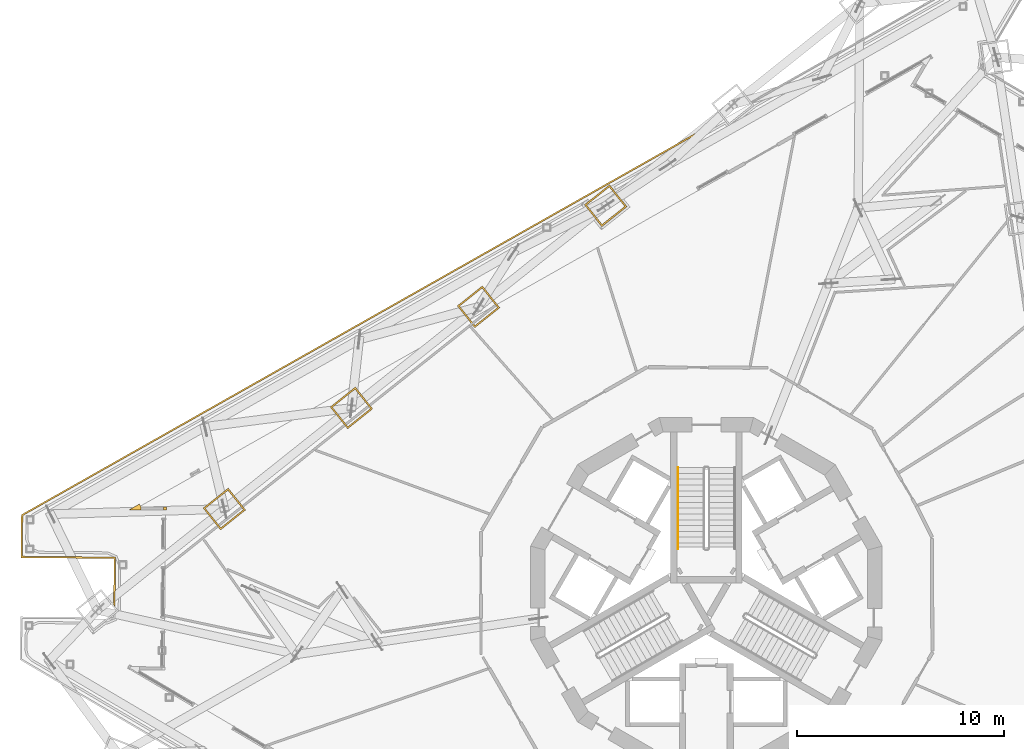
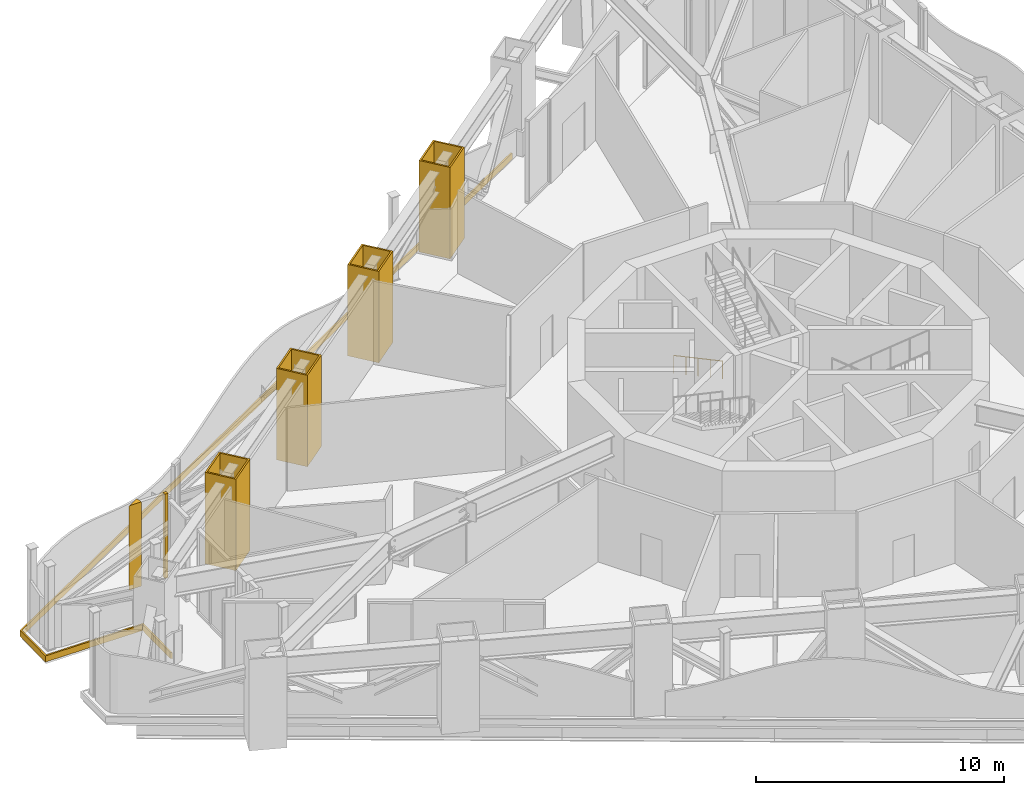
# One storey, part 23 of 27: 7 coverings, 1 railing.
"""IFC4 building model written with IfcOpenShell, lengths in metres."""

import ifcopenshell
import ifcopenshell.guid

model = None  # the IFC model being written
_history = None  # IfcOwnerHistory: only IFC2X3 demands one
_inside = {}  # id of a spatial element -> (the spatial element, [elements in it])
_under = {}  # id of a project, library or spatial element -> (it, [spatial elements below it])
_declared = {}  # id of a project -> (the project, [libraries it declares])
_typed = {}  # id of a type object -> (the type object, [elements of that type])
_made_of = {}  # id of a material, layer set ... -> (it, [elements and type objects made of it])


def new_model(schema):
    """Start an empty IFC model of exactly this schema.

    Asked for "IFC4X3", IfcOpenShell would pick the latest addendum, in which some entities
    have other attributes; the version numbers below select the first issue.
    IFC2X3 requires an IfcOwnerHistory on every rooted entity: one is made here for all.
    """
    global model, _history
    if schema == "IFC4X3":
        model = ifcopenshell.file(schema_version=(4, 3, 0, 0))
    else:
        model = ifcopenshell.file(schema=schema)
    _inside.clear()
    _under.clear()
    _declared.clear()
    _typed.clear()
    _made_of.clear()
    _history = None
    if model.schema == "IFC2X3":
        org = make("IfcOrganization", Name="unknown")
        user = make(
            "IfcPersonAndOrganization",
            ThePerson=make("IfcPerson", FamilyName="unknown"),
            TheOrganization=org,
        )
        app = make(
            "IfcApplication",
            ApplicationDeveloper=org,
            Version="unknown",
            ApplicationFullName="unknown",
            ApplicationIdentifier="unknown",
        )
        _history = make(
            "IfcOwnerHistory",
            OwningUser=user,
            OwningApplication=app,
            ChangeAction="ADDED",
            CreationDate=0,
        )
    return model


def make(cls, **values):
    """One entity of the class cls with the attributes given. An attribute that is None is left unset."""
    return model.create_entity(
        cls, **{name: value for name, value in values.items() if value is not None}
    )


def rooted(cls, **values):
    """An entity with a GlobalId (a new one), such as an element, a storey or a relation."""
    return make(cls, GlobalId=ifcopenshell.guid.new(), OwnerHistory=_history, **values)


def si_unit(unit_type, name, prefix=None):
    """IfcSIUnit, for example si_unit("LENGTHUNIT", "METRE", prefix="MILLI")."""
    return make("IfcSIUnit", UnitType=unit_type, Prefix=prefix, Name=name)


def assignment(units):
    """IfcUnitAssignment: the units of a project."""
    return None if units is None else make("IfcUnitAssignment", Units=units)


def point(xyz):
    """IfcCartesianPoint."""
    return None if xyz is None else make("IfcCartesianPoint", Coordinates=xyz)


def direction(xyz):
    """IfcDirection."""
    return None if xyz is None else make("IfcDirection", DirectionRatios=xyz)


def frame(location, z_axis=None, x_axis=None):
    """IfcAxis2Placement3D, a coordinate frame: its origin and axes. An axis left out is left unset."""
    return make(
        "IfcAxis2Placement3D",
        Location=point(location),
        Axis=direction(z_axis),
        RefDirection=direction(x_axis),
    )


def frame_2d(location, x_axis=None):
    """IfcAxis2Placement2D, a coordinate frame in the plane: its origin and x axis."""
    return make(
        "IfcAxis2Placement2D", Location=point(location), RefDirection=direction(x_axis)
    )


def origin():
    """The frame at (0, 0, 0) with its axes left unset."""
    return frame((0.0, 0.0, 0.0))


def origin_2d():
    """The frame at (0, 0) in the plane with its x axis left unset."""
    return frame_2d((0.0, 0.0))


def place(relative_to, where):
    """IfcLocalPlacement: puts the frame where relative to a parent placement (None: the world)."""
    return make(
        "IfcLocalPlacement", PlacementRelTo=relative_to, RelativePlacement=where
    )


def context(
    kind, dimensions, precision=None, world=None, true_north=None, identifier=None
):
    """IfcGeometricRepresentationContext, for example the 3D "Model" context."""
    return make(
        "IfcGeometricRepresentationContext",
        ContextIdentifier=identifier,
        ContextType=kind,
        CoordinateSpaceDimension=dimensions,
        Precision=precision,
        WorldCoordinateSystem=world,
        TrueNorth=true_north,
    )


def subcontext(parent, identifier, kind, view, scale=None):
    """IfcGeometricRepresentationSubContext, for example "Body" below "Model"."""
    return make(
        "IfcGeometricRepresentationSubContext",
        ContextIdentifier=identifier,
        ContextType=kind,
        ParentContext=parent,
        TargetScale=scale,
        TargetView=view,
    )


def project(units=None, contexts=None):
    """IfcProject with its units and contexts."""
    return rooted(
        "IfcProject",
        Name="project",
        RepresentationContexts=contexts,
        UnitsInContext=assignment(units),
    )


def spatial(cls, under=None, at=None, **own):
    """A site, building, storey or space (cls), placed at a placement, below another one or the project."""
    s = rooted(cls, ObjectPlacement=at, **own)
    if under is not None:
        _under.setdefault(under.id(), (under, []))[1].append(s)
    return s


def polyline(points):
    """IfcPolyline through the points."""
    return make("IfcPolyline", Points=[point(p) for p in points])


def profile(cls, at=None, kind="AREA", **sizes):
    """A parametric profile (cls). Its sizes go by their IFC names, for example OverallWidth=200.0."""
    return make(cls, ProfileType=kind, Position=at, **sizes)


def circle(**sizes):
    """IfcCircleProfileDef."""
    return profile("IfcCircleProfileDef", **sizes)


def outline(outer, holes=None, kind="AREA"):
    """IfcArbitraryClosedProfileDef: a profile drawn as a closed curve; with holes, ...WithVoids."""
    if holes is None:
        return make("IfcArbitraryClosedProfileDef", ProfileType=kind, OuterCurve=outer)
    return make(
        "IfcArbitraryProfileDefWithVoids",
        ProfileType=kind,
        OuterCurve=outer,
        InnerCurves=holes,
    )


def extrude(swept, where, along, depth):
    """IfcExtrudedAreaSolid: the profile swept, set in the frame where, extruded along a direction by depth."""
    return make(
        "IfcExtrudedAreaSolid",
        SweptArea=swept,
        Position=where,
        ExtrudedDirection=direction(along),
        Depth=depth,
    )


def shape(context_of_items, identifier, shape_type, items):
    """IfcShapeRepresentation: the items that make up one representation, for example the "Body"."""
    return make(
        "IfcShapeRepresentation",
        ContextOfItems=context_of_items,
        RepresentationIdentifier=identifier,
        RepresentationType=shape_type,
        Items=items,
    )


def material(Name=None, Category=None):
    """IfcMaterial."""
    return make("IfcMaterial", Name=Name, Category=Category)


def layer(
    of_material, thickness, ventilated=None, Name=None, Category=None, Priority=None
):
    """IfcMaterialLayer: one layer of a wall or slab, of a material (None: an air gap)."""
    return make(
        "IfcMaterialLayer",
        Material=of_material,
        LayerThickness=thickness,
        IsVentilated=ventilated,
        Name=Name,
        Category=Category,
        Priority=Priority,
    )


def layer_set(layers, Name=None):
    """IfcMaterialLayerSet."""
    return make("IfcMaterialLayerSet", MaterialLayers=layers, LayerSetName=Name)


def made_of(thing, what):
    """Note that an element or type object is made of a material, layer set ...; save() writes the relation."""
    if what is not None:
        _made_of.setdefault(what.id(), (what, []))[1].append(thing)
    return thing


def type_object(cls, material=None, **own):
    """A type object (cls), such as IfcWallType, which elements share."""
    return made_of(rooted(cls, **own), material)


def element(
    cls,
    number,
    at=None,
    inside=None,
    cuts=None,
    type_object=None,
    material=None,
    context=None,
    identifier="Body",
    shape_type=None,
    held_by="IfcProductDefinitionShape",
    body=None,
    shapes=None,
    **own,
):
    """One element of the class cls, such as IfcWall. Its Tag is "e" and its number.

    at: its placement. inside: the storey or other place that contains it. cuts: it is an
    opening in that element (IfcRelVoidsElement). A single representation is given by context,
    identifier, shape_type and body (its items); several are given by shapes. held_by: the class
    of the entity that holds the representations. save() writes the other relations.
    """
    e = rooted(cls, Tag="e%d" % number, ObjectPlacement=at, **own)
    if body is not None:
        shapes = [shape(context, identifier, shape_type, body)]
    if shapes is not None:
        e.Representation = make(held_by, Representations=shapes)
    if inside is not None:
        _inside.setdefault(inside.id(), (inside, []))[1].append(e)
    if cuts is not None:
        rooted(
            "IfcRelVoidsElement", RelatingBuildingElement=cuts, RelatedOpeningElement=e
        )
    if type_object is not None:
        _typed.setdefault(type_object.id(), (type_object, []))[1].append(e)
    return made_of(e, material)


def aggregate(whole, parts):
    """IfcRelAggregates: a whole, such as a stair, and the parts it consists of."""
    return rooted("IfcRelAggregates", RelatingObject=whole, RelatedObjects=parts)


def save(model, path):
    """Write the relations noted so far, then the file.

    IfcRelAggregates (storeys below a building ...), IfcRelContainedInSpatialStructure (elements
    in a storey), IfcRelDefinesByType, IfcRelAssociatesMaterial and IfcRelDeclares: one each for
    every whole, place, type object, material and project.
    """
    for whole, parts in _under.values():
        aggregate(whole, parts)
    for where, things in _inside.values():
        rooted(
            "IfcRelContainedInSpatialStructure",
            RelatedElements=things,
            RelatingStructure=where,
        )
    for kind, things in _typed.values():
        rooted("IfcRelDefinesByType", RelatedObjects=things, RelatingType=kind)
    for what, things in _made_of.values():
        rooted("IfcRelAssociatesMaterial", RelatedObjects=things, RelatingMaterial=what)
    for by, libraries in _declared.values():
        rooted("IfcRelDeclares", RelatingContext=by, RelatedDefinitions=libraries)
    model.write(path)


model = new_model("IFC4")

# Units and contexts
model_context = context("Model", 3, precision=1e-05, world=origin(), true_north=direction((0.0, 1.0)))
body_context = subcontext(model_context, "Body", "Model", "MODEL_VIEW")
ifc_project = project(units=[si_unit("LENGTHUNIT", "METRE"), si_unit("AREAUNIT", "SQUARE_METRE"), si_unit("VOLUMEUNIT", "CUBIC_METRE"), si_unit("PLANEANGLEUNIT", "RADIAN"), si_unit("MASSUNIT", "GRAM", prefix="KILO")], contexts=[model_context])

# Site, building, storey
site_placement = place(None, origin())
site = spatial("IfcSite", under=ifc_project, at=site_placement, CompositionType="ELEMENT")
building_placement = place(site_placement, origin())
building = spatial("IfcBuilding", under=site, at=building_placement, Name="Trine Commons Tower", CompositionType="ELEMENT")
storey_placement = place(building_placement, frame((0.0, 0.0, 193.5)))
storey = spatial("IfcBuildingStorey", under=building, at=storey_placement, Name="L50", CompositionType="ELEMENT", Elevation=193.5)

# Coverings
ifc_material_1 = material(Name="Aluminium-framed insulated wall panel", Category="aluminium")
ifc_layer_1 = layer(ifc_material_1, 0.14990234375)
ifc_layer_set_1 = layer_set([ifc_layer_1], Name="Aluminium-framed insulated wall panel")
covering_type_1 = type_object("IfcCoveringType", Name="Glazing corner post, aluminium", PredefinedType="CLADDING", material=ifc_layer_set_1)
covering_1_placement = place(storey_placement, origin())
element("IfcCovering", 1, at=covering_1_placement, inside=storey, type_object=covering_type_1, Name="Glazing corner post 5-03", PredefinedType="CLADDING", context=body_context, shape_type="SweptSolid", body=[
    extrude(outline(polyline([(53.89892578125, 66.517822265625), (53.900390625, 66.66796875), (53.750244140625, 66.669189453125), (53.7490234375, 66.519287109375), (53.89892578125, 66.517822265625)])), origin(), (0.0, 0.0, 1.0), 4.14990234375),
])
covering_2_placement = place(storey_placement, origin())
element("IfcCovering", 2, at=covering_2_placement, inside=storey, type_object=covering_type_1, Name="Glazing corner post 5-04", PredefinedType="CLADDING", context=body_context, shape_type="SweptSolid", body=[
    extrude(outline(polyline([(52.663330078125, 66.52880859375), (52.66455078125, 66.6787109375), (52.5908203125, 66.809326171875), (52.103515625, 66.53369140625), (52.663330078125, 66.52880859375)])), origin(), (0.0, 0.0, 1.0), 4.14990234375),
])
ifc_material_2 = material(Name="Limestone, honed", Category="masonry")
ifc_layer_2 = layer(ifc_material_2, 0.074951171875)
ifc_layer_set_2 = layer_set([ifc_layer_2], Name="Limestone, honed")
covering_type_2 = type_object("IfcCoveringType", Name="Limestone column cladding 75", PredefinedType="CLADDING", material=ifc_layer_set_2)
covering_3_placement = place(storey_placement, origin())
element("IfcCovering", 3, at=covering_3_placement, inside=storey, type_object=covering_type_2, Name="Limestone pier cladding 6-09", PredefinedType="CLADDING", context=body_context, shape_type="SweptSolid", body=[
    extrude(outline(polyline([(57.726318359375, 66.524658203125), (56.8857421875, 67.581298828125), (55.6728515625, 66.6162109375), (56.51318359375, 65.559814453125), (57.726318359375, 66.524658203125)]), holes=[polyline([(57.620849609375, 66.53662109375), (56.873779296875, 67.475830078125), (55.7783203125, 66.604248046875), (56.525146484375, 65.665283203125), (57.620849609375, 66.53662109375)])]), origin(), (0.0, 0.0, 1.0), 4.5),
])
covering_4_placement = place(storey_placement, origin())
element("IfcCovering", 4, at=covering_4_placement, inside=storey, type_object=covering_type_2, Name="Limestone pier cladding 6-10", PredefinedType="CLADDING", context=body_context, shape_type="SweptSolid", body=[
    extrude(outline(polyline([(63.8701171875, 71.411865234375), (63.02978515625, 72.46826171875), (61.81689453125, 71.50341796875), (62.6572265625, 70.447021484375), (63.8701171875, 71.411865234375)]), holes=[polyline([(63.764892578125, 71.423828125), (63.017822265625, 72.36279296875), (61.922119140625, 71.491455078125), (62.669189453125, 70.55224609375), (63.764892578125, 71.423828125)])]), origin(), (0.0, 0.0, 1.0), 4.5),
])
covering_5_placement = place(storey_placement, origin())
element("IfcCovering", 5, at=covering_5_placement, inside=storey, type_object=covering_type_2, Name="Limestone pier cladding 6-11", PredefinedType="CLADDING", context=body_context, shape_type="SweptSolid", body=[
    extrude(outline(polyline([(70.01416015625, 76.298828125), (69.173583984375, 77.35546875), (67.960693359375, 76.390380859375), (68.801025390625, 75.333984375), (70.01416015625, 76.298828125)]), holes=[polyline([(69.90869140625, 76.310791015625), (69.16162109375, 77.25), (68.066162109375, 76.37841796875), (68.81298828125, 75.439453125), (69.90869140625, 76.310791015625)])]), origin(), (0.0, 0.0, 1.0), 4.5),
])
covering_6_placement = place(storey_placement, origin())
element("IfcCovering", 6, at=covering_6_placement, inside=storey, type_object=covering_type_2, Name="Limestone pier cladding 6-12", PredefinedType="CLADDING", context=body_context, shape_type="SweptSolid", body=[
    extrude(outline(polyline([(76.158203125, 81.18603515625), (75.317626953125, 82.242431640625), (74.104736328125, 81.277587890625), (74.945068359375, 80.22119140625), (76.158203125, 81.18603515625)]), holes=[polyline([(76.052734375, 81.197998046875), (75.3056640625, 82.13720703125), (74.210205078125, 81.265625), (74.95703125, 80.326416015625), (76.052734375, 81.197998046875)])]), origin(), (0.0, 0.0, 1.0), 4.5),
])
ifc_layer_3 = layer(ifc_material_2, 0.074951171875)
ifc_layer_set_3 = layer_set([ifc_layer_3], Name="Limestone, honed")
covering_type_3 = type_object("IfcCoveringType", Name="Limestone spandrel panel 75", PredefinedType="CLADDING", material=ifc_layer_set_3)
covering_7_placement = place(storey_placement, frame((0.0, 0.0, -0.300048828125)))
element("IfcCovering", 7, at=covering_7_placement, inside=storey, type_object=covering_type_3, Name="Limestone spandrel panel 5-09", PredefinedType="CLADDING", context=body_context, shape_type="SweptSolid", body=[
    extrude(outline(polyline([(51.363525390625, 64.175048828125), (51.343994140625, 61.937255859375), (51.418212890625, 61.843994140625), (51.439208984375, 64.249267578125), (46.939208984375, 64.28857421875), (46.956298828125, 66.252685546875), (80.839111328125, 85.42236328125), (80.791748046875, 85.48193359375), (46.8818359375, 66.296630859375), (46.863525390625, 64.214111328125), (51.363525390625, 64.175048828125)])), origin(), (0.0, 0.0, 1.0), 0.300048828125),
])

# Railing
ifc_material_3 = material(Name="Stainless steel handrail", Category="steel")
railing_type = type_object("IfcRailingType", Name="Stair handrail, steel 900", PredefinedType="HANDRAIL", material=ifc_material_3)
railing_placement = place(storey_placement, frame((78.625, 68.570556640625, 0.14990234375)))
element("IfcRailing", 8, at=railing_placement, inside=storey, type_object=railing_type, Name="L50 ST1C stair handrail 1", PredefinedType="HANDRAIL", context=body_context, shape_type="SweptSolid", body=[
    extrude(circle(Radius=0.02099609375, at=origin_2d()), frame((0.0, 0.0, 0.87890625), z_axis=(0.0, -0.881466911329, 0.472245787945), x_axis=(1.0, 0.0, 0.0)), (0.0, 0.0, 1.0), 4.447021484375),
    extrude(circle(Radius=0.01513671875, at=origin_2d()), origin(), (0.0, 0.0, 1.0), 0.85791015625),
    extrude(circle(Radius=0.01513671875, at=origin_2d()), frame((0.0, -0.97998046875, 0.52490234375)), (0.0, 0.0, 1.0), 0.85791015625),
    extrude(circle(Radius=0.01513671875, at=origin_2d()), frame((0.0, -1.9599609375, 1.050048828125)), (0.0, 0.0, 1.0), 0.85791015625),
    extrude(circle(Radius=0.01513671875, at=origin_2d()), frame((0.0, -2.93994140625, 1.5751953125)), (0.0, 0.0, 1.0), 0.85791015625),
    extrude(circle(Radius=0.01513671875, at=origin_2d()), frame((0.0, -3.919921875, 2.10009765625)), (0.0, 0.0, 1.0), 0.85791015625),
])

save(model, "model.ifc")
